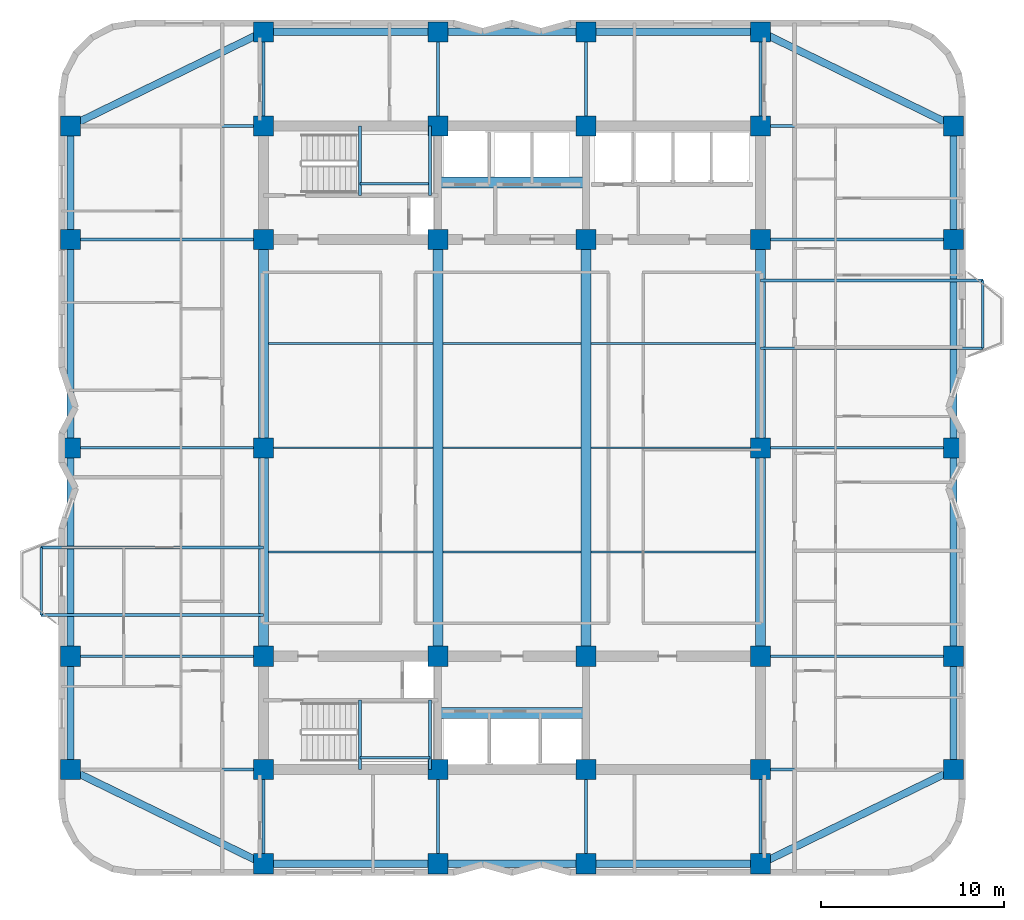
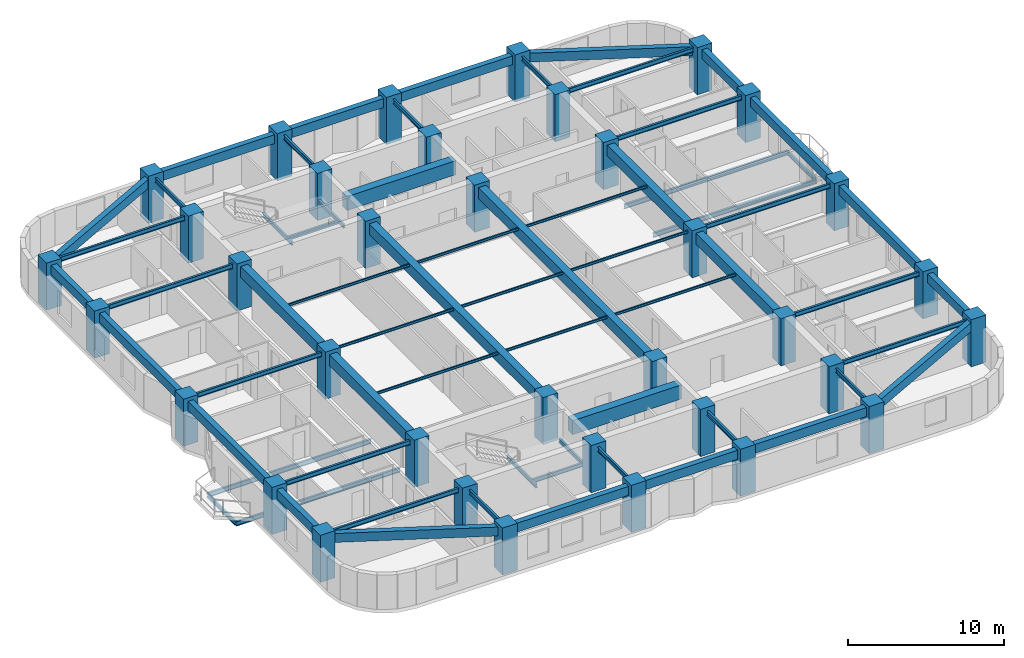
# One storey, part 1 of 9: 65 beams, 36 columns.
"""IFC4 building model written with IfcOpenShell, lengths in metres."""

from ifc_helpers import new_model, si_unit, direction, frame, origin, origin_2d, place, context, subcontext, project, spatial, rectangle, i_section, extrude, material, material_profile, profile_set, type_object, element, save


model = new_model("IFC4")

# Units and contexts
model_context = context("Model", 3, precision=1e-05, world=origin(), true_north=direction((0.0, 1.0)))
body_context = subcontext(model_context, "Body", "Model", "MODEL_VIEW")
ifc_project = project(units=[si_unit("LENGTHUNIT", "METRE"), si_unit("AREAUNIT", "SQUARE_METRE"), si_unit("VOLUMEUNIT", "CUBIC_METRE"), si_unit("PLANEANGLEUNIT", "RADIAN"), si_unit("MASSUNIT", "GRAM", prefix="KILO")], contexts=[model_context])

# Site, building, storey
site_placement = place(None, origin())
site = spatial("IfcSite", under=ifc_project, at=site_placement, CompositionType="ELEMENT")
building_placement = place(site_placement, origin())
building = spatial("IfcBuilding", under=site, at=building_placement, Name="Svetorya Sky Lyceum", CompositionType="ELEMENT")
storey_placement = place(building_placement, frame((0.0, 0.0, 125.300048828125)))
storey = spatial("IfcBuildingStorey", under=building, at=storey_placement, Name="L31", CompositionType="ELEMENT", Elevation=125.300048828125)

# Columns
ifc_material_1 = material(Name="Concrete C50/60", Category="concrete")
ifc_material_profile_1 = material_profile(ifc_material_1, rectangle(XDim=1.10009765625, YDim=1.10009765625, at=origin_2d()), Name="RC COL 1100x1100")
ifc_profile_set_1 = profile_set([ifc_material_profile_1], Name="Concrete C50/60")
column_type = type_object("IfcColumnType", Name="COL-RC-1100", PredefinedType="COLUMN", material=ifc_profile_set_1)
for number, where, z_axis, x_axis, name in (
    (1, (25.60009765625, 10.60009765625, 0.0), (0.0, 0.0, 1.0), (1.0, 0.0, 0.0), "L31 Core Column CS-11"),
    (2, (25.60009765625, 16.800048828125, 0.0), (0.0, 0.0, 1.0), (1.0, 0.0, 0.0), "L31 Core Column CS-12"),
    (3, (35.14990234375, 10.60009765625, 0.0), (0.0, 0.0, 1.0), (1.0, 0.0, 0.0), "L31 Core Column CS-21"),
    (4, (35.14990234375, 16.800048828125, 0.0), (0.0, 0.0, 1.0), (1.0, 0.0, 0.0), "L31 Core Column CS-22"),
    (5, (43.25, 10.60009765625, 0.0), (0.0, 0.0, 1.0), (1.0, 0.0, 0.0), "L31 Core Column CS-31"),
    (6, (43.25, 16.800048828125, 0.0), (0.0, 0.0, 1.0), (1.0, 0.0, 0.0), "L31 Core Column CS-32"),
    (7, (52.800048828125, 10.60009765625, 0.0), (0.0, 0.0, 1.0), (1.0, 0.0, 0.0), "L31 Core Column CS-41"),
    (8, (52.800048828125, 16.800048828125, 0.0), (0.0, 0.0, 1.0), (1.0, 0.0, 0.0), "L31 Core Column CS-42"),
    (9, (25.60009765625, 39.60009765625, 0.0), (0.0, 0.0, 1.0), (1.0, 0.0, 0.0), "L31 Core Column CN-11"),
    (10, (25.60009765625, 45.800048828125, 0.0), (0.0, 0.0, 1.0), (1.0, 0.0, 0.0), "L31 Core Column CN-12"),
    (11, (35.14990234375, 39.60009765625, 0.0), (0.0, 0.0, 1.0), (1.0, 0.0, 0.0), "L31 Core Column CN-21"),
    (12, (35.14990234375, 45.800048828125, 0.0), (0.0, 0.0, 1.0), (1.0, 0.0, 0.0), "L31 Core Column CN-22"),
    (13, (43.25, 39.60009765625, 0.0), (0.0, 0.0, 1.0), (1.0, 0.0, 0.0), "L31 Core Column CN-31"),
    (14, (43.25, 45.800048828125, 0.0), (0.0, 0.0, 1.0), (1.0, 0.0, 0.0), "L31 Core Column CN-32"),
    (15, (52.800048828125, 39.60009765625, 0.0), (0.0, 0.0, 1.0), (1.0, 0.0, 0.0), "L31 Core Column CN-41"),
    (16, (52.800048828125, 45.800048828125, 0.0), (0.0, 0.0, 1.0), (1.0, 0.0, 0.0), "L31 Core Column CN-42"),
    (17, (25.60009765625, 28.199951171875, 0.0), (0.0, 0.0, 1.0), (1.0, 0.0, 0.0), "L31 Core Column CM-W"),
    (18, (52.800048828125, 28.199951171875, 0.0), (0.0, 0.0, 1.0), (1.0, 0.0, 0.0), "L31 Core Column CM-E"),
    (19, (25.60009765625, 5.449951171875, 0.0), (0.0, 0.0, 1.0), (1.0, 0.0, 0.0), "L31 Perimeter Column S1"),
    (20, (25.60009765625, 50.949951171875, 0.0), (0.0, 0.0, 1.0), (1.0, 0.0, 0.0), "L31 Perimeter Column N1"),
    (21, (35.14990234375, 5.449951171875, 0.0), (0.0, 0.0, 1.0), (1.0, 0.0, 0.0), "L31 Perimeter Column S2"),
    (22, (35.14990234375, 50.949951171875, 0.0), (0.0, 0.0, 1.0), (1.0, 0.0, 0.0), "L31 Perimeter Column N2"),
    (23, (43.25, 5.449951171875, 0.0), (0.0, 0.0, 1.0), (1.0, 0.0, 0.0), "L31 Perimeter Column S3"),
    (24, (43.25, 50.949951171875, 0.0), (0.0, 0.0, 1.0), (1.0, 0.0, 0.0), "L31 Perimeter Column N3"),
    (25, (52.800048828125, 5.449951171875, 0.0), (0.0, 0.0, 1.0), (1.0, 0.0, 0.0), "L31 Perimeter Column S4"),
    (26, (52.800048828125, 50.949951171875, 0.0), (0.0, 0.0, 1.0), (1.0, 0.0, 0.0), "L31 Perimeter Column N4"),
    (27, (15.050048828125, 10.60009765625, 0.0), (0.0, 0.0, 1.0), (1.0, 0.0, 0.0), "L31 Perimeter Column W1"),
    (28, (63.35009765625, 10.60009765625, 0.0), (0.0, 0.0, 1.0), (1.0, 0.0, 0.0), "L31 Perimeter Column E1"),
    (29, (15.050048828125, 16.800048828125, 0.0), (0.0, 0.0, 1.0), (1.0, 0.0, 0.0), "L31 Perimeter Column W2"),
    (30, (63.35009765625, 16.800048828125, 0.0), (0.0, 0.0, 1.0), (1.0, 0.0, 0.0), "L31 Perimeter Column E2"),
    (31, (15.050048828125, 28.199951171875, 0.0), (0.0, 0.0, 1.0), (1.0, 0.0, 0.0), "L31 Perimeter Column W3"),
    (32, (63.35009765625, 28.199951171875, 0.0), (0.0, 0.0, 1.0), (1.0, 0.0, 0.0), "L31 Perimeter Column E3"),
    (33, (15.050048828125, 39.60009765625, 0.0), (0.0, 0.0, 1.0), (1.0, 0.0, 0.0), "L31 Perimeter Column W4"),
    (34, (63.35009765625, 39.60009765625, 0.0), (0.0, 0.0, 1.0), (1.0, 0.0, 0.0), "L31 Perimeter Column E4"),
    (35, (15.050048828125, 45.800048828125, 0.0), (0.0, 0.0, 1.0), (1.0, 0.0, 0.0), "L31 Perimeter Column W5"),
    (36, (63.35009765625, 45.800048828125, 0.0), (0.0, 0.0, 1.0), (1.0, 0.0, 0.0), "L31 Perimeter Column E5"),
):
    element("IfcColumn", number, at=place(storey_placement, frame(where, z_axis=z_axis, x_axis=x_axis)), inside=storey, type_object=column_type, Name=name, PredefinedType="COLUMN", context=body_context, shape_type="SweptSolid", body=[
        extrude(rectangle(XDim=1.10009765625, YDim=1.10009765625, at=origin_2d()), origin(), (0.0, 0.0, 1.0), 3.699951171875),
    ])

# Beams
ifc_material_2 = material(Name="Concrete C60/75", Category="concrete")
ifc_material_profile_2 = material_profile(ifc_material_2, rectangle(XDim=0.60009765625, YDim=1.10009765625, at=origin_2d()), Name="RC COUPLING 600x1100")
ifc_profile_set_2 = profile_set([ifc_material_profile_2], Name="Concrete C60/75")
beam_type_1 = type_object("IfcBeamType", Name="BM-CPL-1100", PredefinedType="LINTEL", material=ifc_profile_set_2)
for number, where, z_axis, x_axis, name in (
    (37, (35.14990234375, 13.699951171875, 2.869873046875), (1.0, 0.0, 0.0), (0.0, 1.0, 0.0), "L31 SC Core Coupling Beam"),
    (38, (35.14990234375, 42.699951171875, 2.869873046875), (1.0, 0.0, 0.0), (0.0, 1.0, 0.0), "L31 NC Core Coupling Beam"),
):
    element("IfcBeam", number, at=place(storey_placement, frame(where, z_axis=z_axis, x_axis=x_axis)), inside=storey, type_object=beam_type_1, Name=name, PredefinedType="LINTEL", context=body_context, shape_type="SweptSolid", body=[
        extrude(rectangle(XDim=0.60009765625, YDim=1.10009765625, at=origin_2d()), origin(), (0.0, 0.0, 1.0), 8.10009765625),
    ])
ifc_material_profile_3 = material_profile(ifc_material_1, rectangle(XDim=0.550048828125, YDim=0.85009765625, at=origin_2d()), Name="RC BEAM 550x850")
ifc_profile_set_3 = profile_set([ifc_material_profile_3], Name="Concrete C50/60")
beam_type_2 = type_object("IfcBeamType", Name="BM-RC-850", PredefinedType="BEAM", material=ifc_profile_set_3)
beam_1_placement = place(storey_placement, frame((25.60009765625, 16.800048828125, 2.994873046875), z_axis=(0.0, 1.0, 0.0), x_axis=(-1.0, 0.0, 0.0)))
element("IfcBeam", 39, at=beam_1_placement, inside=storey, type_object=beam_type_2, Name="L31 Central Bay Primary Girder CG-1A", PredefinedType="BEAM", context=body_context, shape_type="SweptSolid", body=[
    extrude(rectangle(XDim=0.550048828125, YDim=0.85009765625, at=origin_2d()), origin(), (0.0, 0.0, 1.0), 11.39990234375),
])
beam_2_placement = place(storey_placement, frame((25.60009765625, 28.199951171875, 2.994873046875), z_axis=(0.0, 1.0, 0.0), x_axis=(-1.0, 0.0, 0.0)))
element("IfcBeam", 40, at=beam_2_placement, inside=storey, type_object=beam_type_2, Name="L31 Central Bay Primary Girder CG-1B", PredefinedType="BEAM", context=body_context, shape_type="SweptSolid", body=[
    extrude(rectangle(XDim=0.550048828125, YDim=0.85009765625, at=origin_2d()), origin(), (0.0, 0.0, 1.0), 11.400146484375),
])
for number, where, z_axis, x_axis, name in (
    (41, (35.14990234375, 16.800048828125, 2.994873046875), (0.0, 1.0, 0.0), (-1.0, 0.0, 0.0), "L31 Central Bay Primary Girder CG-2"),
    (42, (43.25, 16.800048828125, 2.994873046875), (0.0, 1.0, 0.0), (-1.0, 0.0, 0.0), "L31 Central Bay Primary Girder CG-3"),
):
    element("IfcBeam", number, at=place(storey_placement, frame(where, z_axis=z_axis, x_axis=x_axis)), inside=storey, type_object=beam_type_2, Name=name, PredefinedType="BEAM", context=body_context, shape_type="SweptSolid", body=[
        extrude(rectangle(XDim=0.550048828125, YDim=0.85009765625, at=origin_2d()), origin(), (0.0, 0.0, 1.0), 22.800048828125),
    ])
beam_3_placement = place(storey_placement, frame((52.800048828125, 16.800048828125, 2.994873046875), z_axis=(0.0, 1.0, 0.0), x_axis=(-1.0, 0.0, 0.0)))
element("IfcBeam", 43, at=beam_3_placement, inside=storey, type_object=beam_type_2, Name="L31 Central Bay Primary Girder CG-4A", PredefinedType="BEAM", context=body_context, shape_type="SweptSolid", body=[
    extrude(rectangle(XDim=0.550048828125, YDim=0.85009765625, at=origin_2d()), origin(), (0.0, 0.0, 1.0), 11.39990234375),
])
beam_4_placement = place(storey_placement, frame((52.800048828125, 28.199951171875, 2.994873046875), z_axis=(0.0, 1.0, 0.0), x_axis=(-1.0, 0.0, 0.0)))
element("IfcBeam", 44, at=beam_4_placement, inside=storey, type_object=beam_type_2, Name="L31 Central Bay Primary Girder CG-4B", PredefinedType="BEAM", context=body_context, shape_type="SweptSolid", body=[
    extrude(rectangle(XDim=0.550048828125, YDim=0.85009765625, at=origin_2d()), origin(), (0.0, 0.0, 1.0), 11.400146484375),
])
ifc_material_profile_4 = material_profile(ifc_material_1, rectangle(XDim=0.39990234375, YDim=0.699951171875, at=origin_2d()), Name="RC SPANDREL 400x700")
ifc_profile_set_4 = profile_set([ifc_material_profile_4], Name="Concrete C50/60")
beam_type_3 = type_object("IfcBeamType", Name="BM-SPN-700", PredefinedType="SPANDREL", material=ifc_profile_set_4)
beam_5_placement = place(storey_placement, frame((25.60009765625, 5.449951171875, 3.070068359375), z_axis=(1.0, 0.0, 0.0), x_axis=(0.0, 1.0, 0.0)))
element("IfcBeam", 45, at=beam_5_placement, inside=storey, type_object=beam_type_3, Name="L31 South Spandrel 1", PredefinedType="SPANDREL", context=body_context, shape_type="SweptSolid", body=[
    extrude(rectangle(XDim=0.39990234375, YDim=0.699951171875, at=origin_2d()), origin(), (0.0, 0.0, 1.0), 9.5498046875),
])
beam_6_placement = place(storey_placement, frame((35.14990234375, 5.449951171875, 3.070068359375), z_axis=(1.0, 0.0, 0.0), x_axis=(0.0, 1.0, 0.0)))
element("IfcBeam", 46, at=beam_6_placement, inside=storey, type_object=beam_type_3, Name="L31 South Spandrel 2", PredefinedType="SPANDREL", context=body_context, shape_type="SweptSolid", body=[
    extrude(rectangle(XDim=0.39990234375, YDim=0.699951171875, at=origin_2d()), origin(), (0.0, 0.0, 1.0), 8.10009765625),
])
beam_7_placement = place(storey_placement, frame((43.25, 5.449951171875, 3.070068359375), z_axis=(1.0, 0.0, 0.0), x_axis=(0.0, 1.0, 0.0)))
element("IfcBeam", 47, at=beam_7_placement, inside=storey, type_object=beam_type_3, Name="L31 South Spandrel 3", PredefinedType="SPANDREL", context=body_context, shape_type="SweptSolid", body=[
    extrude(rectangle(XDim=0.39990234375, YDim=0.699951171875, at=origin_2d()), origin(), (0.0, 0.0, 1.0), 9.550048828125),
])
beam_8_placement = place(storey_placement, frame((25.60009765625, 50.949951171875, 3.070068359375), z_axis=(1.0, 0.0, 0.0), x_axis=(0.0, 1.0, 0.0)))
element("IfcBeam", 48, at=beam_8_placement, inside=storey, type_object=beam_type_3, Name="L31 North Spandrel 1", PredefinedType="SPANDREL", context=body_context, shape_type="SweptSolid", body=[
    extrude(rectangle(XDim=0.39990234375, YDim=0.699951171875, at=origin_2d()), origin(), (0.0, 0.0, 1.0), 9.5498046875),
])
beam_9_placement = place(storey_placement, frame((35.14990234375, 50.949951171875, 3.070068359375), z_axis=(1.0, 0.0, 0.0), x_axis=(0.0, 1.0, 0.0)))
element("IfcBeam", 49, at=beam_9_placement, inside=storey, type_object=beam_type_3, Name="L31 North Spandrel 2", PredefinedType="SPANDREL", context=body_context, shape_type="SweptSolid", body=[
    extrude(rectangle(XDim=0.39990234375, YDim=0.699951171875, at=origin_2d()), origin(), (0.0, 0.0, 1.0), 8.10009765625),
])
beam_10_placement = place(storey_placement, frame((43.25, 50.949951171875, 3.070068359375), z_axis=(1.0, 0.0, 0.0), x_axis=(0.0, 1.0, 0.0)))
element("IfcBeam", 50, at=beam_10_placement, inside=storey, type_object=beam_type_3, Name="L31 North Spandrel 3", PredefinedType="SPANDREL", context=body_context, shape_type="SweptSolid", body=[
    extrude(rectangle(XDim=0.39990234375, YDim=0.699951171875, at=origin_2d()), origin(), (0.0, 0.0, 1.0), 9.550048828125),
])
for number, where, z_axis, x_axis, name in (
    (51, (25.60009765625, 5.449951171875, 3.070068359375), (-0.898641495694, 0.438683783854, 0.0), (-0.438683783854, -0.898641495694, 0.0), "L31 Corner Spandrel 1"),
    (52, (52.800048828125, 5.449951171875, 3.070068359375), (0.898641495694, 0.438683783854, 0.0), (-0.438683783854, 0.898641495694, 0.0), "L31 Corner Spandrel 2"),
    (53, (63.35009765625, 45.800048828125, 3.070068359375), (-0.898649693653, 0.438666989978, 0.0), (-0.438666989978, -0.898649693653, 0.0), "L31 Corner Spandrel 3"),
    (54, (15.050048828125, 45.800048828125, 3.070068359375), (0.898649693653, 0.438666989978, 0.0), (-0.438666989978, 0.898649693653, 0.0), "L31 Corner Spandrel 4"),
):
    element("IfcBeam", number, at=place(storey_placement, frame(where, z_axis=z_axis, x_axis=x_axis)), inside=storey, type_object=beam_type_3, Name=name, PredefinedType="SPANDREL", context=body_context, shape_type="SweptSolid", body=[
        extrude(rectangle(XDim=0.39990234375, YDim=0.699951171875, at=origin_2d()), origin(), (0.0, 0.0, 1.0), 11.739990234375),
    ])
beam_11_placement = place(storey_placement, frame((15.050048828125, 10.60009765625, 3.070068359375), z_axis=(0.0, 1.0, 0.0), x_axis=(-1.0, 0.0, 0.0)))
element("IfcBeam", 55, at=beam_11_placement, inside=storey, type_object=beam_type_3, Name="L31 West Spandrel 1", PredefinedType="SPANDREL", context=body_context, shape_type="SweptSolid", body=[
    extrude(rectangle(XDim=0.39990234375, YDim=0.699951171875, at=origin_2d()), origin(), (0.0, 0.0, 1.0), 6.199951171875),
])
beam_12_placement = place(storey_placement, frame((15.050048828125, 16.800048828125, 3.070068359375), z_axis=(0.0, 1.0, 0.0), x_axis=(-1.0, 0.0, 0.0)))
element("IfcBeam", 56, at=beam_12_placement, inside=storey, type_object=beam_type_3, Name="L31 West Spandrel 2", PredefinedType="SPANDREL", context=body_context, shape_type="SweptSolid", body=[
    extrude(rectangle(XDim=0.39990234375, YDim=0.699951171875, at=origin_2d()), origin(), (0.0, 0.0, 1.0), 11.39990234375),
])
beam_13_placement = place(storey_placement, frame((15.050048828125, 28.199951171875, 3.070068359375), z_axis=(0.0, 1.0, 0.0), x_axis=(-1.0, 0.0, 0.0)))
element("IfcBeam", 57, at=beam_13_placement, inside=storey, type_object=beam_type_3, Name="L31 West Spandrel 3", PredefinedType="SPANDREL", context=body_context, shape_type="SweptSolid", body=[
    extrude(rectangle(XDim=0.39990234375, YDim=0.699951171875, at=origin_2d()), origin(), (0.0, 0.0, 1.0), 11.400146484375),
])
for number, where, z_axis, x_axis, name in (
    (58, (15.050048828125, 39.60009765625, 3.070068359375), (0.0, 1.0, 0.0), (-1.0, 0.0, 0.0), "L31 West Spandrel 4"),
    (59, (63.35009765625, 10.60009765625, 3.070068359375), (0.0, 1.0, 0.0), (-1.0, 0.0, 0.0), "L31 East Spandrel 1"),
):
    element("IfcBeam", number, at=place(storey_placement, frame(where, z_axis=z_axis, x_axis=x_axis)), inside=storey, type_object=beam_type_3, Name=name, PredefinedType="SPANDREL", context=body_context, shape_type="SweptSolid", body=[
        extrude(rectangle(XDim=0.39990234375, YDim=0.699951171875, at=origin_2d()), origin(), (0.0, 0.0, 1.0), 6.199951171875),
    ])
beam_14_placement = place(storey_placement, frame((63.35009765625, 16.800048828125, 3.070068359375), z_axis=(0.0, 1.0, 0.0), x_axis=(-1.0, 0.0, 0.0)))
element("IfcBeam", 60, at=beam_14_placement, inside=storey, type_object=beam_type_3, Name="L31 East Spandrel 2", PredefinedType="SPANDREL", context=body_context, shape_type="SweptSolid", body=[
    extrude(rectangle(XDim=0.39990234375, YDim=0.699951171875, at=origin_2d()), origin(), (0.0, 0.0, 1.0), 11.39990234375),
])
beam_15_placement = place(storey_placement, frame((63.35009765625, 28.199951171875, 3.070068359375), z_axis=(0.0, 1.0, 0.0), x_axis=(-1.0, 0.0, 0.0)))
element("IfcBeam", 61, at=beam_15_placement, inside=storey, type_object=beam_type_3, Name="L31 East Spandrel 3", PredefinedType="SPANDREL", context=body_context, shape_type="SweptSolid", body=[
    extrude(rectangle(XDim=0.39990234375, YDim=0.699951171875, at=origin_2d()), origin(), (0.0, 0.0, 1.0), 11.400146484375),
])
beam_16_placement = place(storey_placement, frame((63.35009765625, 39.60009765625, 3.070068359375), z_axis=(0.0, 1.0, 0.0), x_axis=(-1.0, 0.0, 0.0)))
element("IfcBeam", 62, at=beam_16_placement, inside=storey, type_object=beam_type_3, Name="L31 East Spandrel 4", PredefinedType="SPANDREL", context=body_context, shape_type="SweptSolid", body=[
    extrude(rectangle(XDim=0.39990234375, YDim=0.699951171875, at=origin_2d()), origin(), (0.0, 0.0, 1.0), 6.199951171875),
])
ifc_material_3 = material(Name="Steel S355", Category="steel")
ifc_material_profile_5 = material_profile(ifc_material_3, i_section(OverallWidth=0.10009765625, OverallDepth=0.199951171875, WebThickness=0.005615234375, FlangeThickness=0.008544921875, at=origin_2d()), Name="GOST 20B1")
ifc_profile_set_5 = profile_set([ifc_material_profile_5], Name="Steel S355")
beam_type_4 = type_object("IfcBeamType", Name="BM-STL-20B1", PredefinedType="JOIST", material=ifc_profile_set_5)
beam_17_placement = place(storey_placement, frame((25.875, 22.5, 3.320068359375), z_axis=(1.0, 0.0, 0.0), x_axis=(0.0, 1.0, 0.0)))
element("IfcBeam", 63, at=beam_17_placement, inside=storey, type_object=beam_type_4, Name="L31 Central Floor Joist CJ-1.1", PredefinedType="JOIST", context=body_context, shape_type="SweptSolid", body=[
    extrude(i_section(OverallWidth=0.10009765625, OverallDepth=0.199951171875, WebThickness=0.005615234375, FlangeThickness=0.008544921875, at=origin_2d()), origin(), (0.0, 0.0, 1.0), 9.0),
])
beam_18_placement = place(storey_placement, frame((35.425048828125, 22.5, 3.320068359375), z_axis=(1.0, 0.0, 0.0), x_axis=(0.0, 1.0, 0.0)))
element("IfcBeam", 64, at=beam_18_placement, inside=storey, type_object=beam_type_4, Name="L31 Central Floor Joist CJ-1.2", PredefinedType="JOIST", context=body_context, shape_type="SweptSolid", body=[
    extrude(i_section(OverallWidth=0.10009765625, OverallDepth=0.199951171875, WebThickness=0.005615234375, FlangeThickness=0.008544921875, at=origin_2d()), origin(), (0.0, 0.0, 1.0), 7.550048828125),
])
for number, where, z_axis, x_axis, name in (
    (65, (43.52490234375, 22.5, 3.320068359375), (1.0, 0.0, 0.0), (0.0, 1.0, 0.0), "L31 Central Floor Joist CJ-1.3"),
    (66, (25.875, 28.199951171875, 3.320068359375), (1.0, 0.0, 0.0), (0.0, 1.0, 0.0), "L31 Central Floor Joist CJ-2.1"),
):
    element("IfcBeam", number, at=place(storey_placement, frame(where, z_axis=z_axis, x_axis=x_axis)), inside=storey, type_object=beam_type_4, Name=name, PredefinedType="JOIST", context=body_context, shape_type="SweptSolid", body=[
        extrude(i_section(OverallWidth=0.10009765625, OverallDepth=0.199951171875, WebThickness=0.005615234375, FlangeThickness=0.008544921875, at=origin_2d()), origin(), (0.0, 0.0, 1.0), 9.0),
    ])
beam_19_placement = place(storey_placement, frame((35.425048828125, 28.199951171875, 3.320068359375), z_axis=(1.0, 0.0, 0.0), x_axis=(0.0, 1.0, 0.0)))
element("IfcBeam", 67, at=beam_19_placement, inside=storey, type_object=beam_type_4, Name="L31 Central Floor Joist CJ-2.2", PredefinedType="JOIST", context=body_context, shape_type="SweptSolid", body=[
    extrude(i_section(OverallWidth=0.10009765625, OverallDepth=0.199951171875, WebThickness=0.005615234375, FlangeThickness=0.008544921875, at=origin_2d()), origin(), (0.0, 0.0, 1.0), 7.550048828125),
])
for number, where, z_axis, x_axis, name in (
    (68, (43.52490234375, 28.199951171875, 3.320068359375), (1.0, 0.0, 0.0), (0.0, 1.0, 0.0), "L31 Central Floor Joist CJ-2.3"),
    (69, (25.875, 33.89990234375, 3.320068359375), (1.0, 0.0, 0.0), (0.0, 1.0, 0.0), "L31 Central Floor Joist CJ-3.1"),
):
    element("IfcBeam", number, at=place(storey_placement, frame(where, z_axis=z_axis, x_axis=x_axis)), inside=storey, type_object=beam_type_4, Name=name, PredefinedType="JOIST", context=body_context, shape_type="SweptSolid", body=[
        extrude(i_section(OverallWidth=0.10009765625, OverallDepth=0.199951171875, WebThickness=0.005615234375, FlangeThickness=0.008544921875, at=origin_2d()), origin(), (0.0, 0.0, 1.0), 9.0),
    ])
beam_20_placement = place(storey_placement, frame((35.425048828125, 33.89990234375, 3.320068359375), z_axis=(1.0, 0.0, 0.0), x_axis=(0.0, 1.0, 0.0)))
element("IfcBeam", 70, at=beam_20_placement, inside=storey, type_object=beam_type_4, Name="L31 Central Floor Joist CJ-3.2", PredefinedType="JOIST", context=body_context, shape_type="SweptSolid", body=[
    extrude(i_section(OverallWidth=0.10009765625, OverallDepth=0.199951171875, WebThickness=0.005615234375, FlangeThickness=0.008544921875, at=origin_2d()), origin(), (0.0, 0.0, 1.0), 7.550048828125),
])
beam_21_placement = place(storey_placement, frame((43.52490234375, 33.89990234375, 3.320068359375), z_axis=(1.0, 0.0, 0.0), x_axis=(0.0, 1.0, 0.0)))
element("IfcBeam", 71, at=beam_21_placement, inside=storey, type_object=beam_type_4, Name="L31 Central Floor Joist CJ-3.3", PredefinedType="JOIST", context=body_context, shape_type="SweptSolid", body=[
    extrude(i_section(OverallWidth=0.10009765625, OverallDepth=0.199951171875, WebThickness=0.005615234375, FlangeThickness=0.008544921875, at=origin_2d()), origin(), (0.0, 0.0, 1.0), 9.0),
])
ifc_material_profile_6 = material_profile(ifc_material_3, i_section(OverallWidth=0.14990234375, OverallDepth=0.299072265625, WebThickness=0.006591796875, FlangeThickness=0.010498046875, at=origin_2d()), Name="GOST 30B2")
ifc_profile_set_6 = profile_set([ifc_material_profile_6], Name="Steel S355")
beam_type_5 = type_object("IfcBeamType", Name="BM-STL-30B2", PredefinedType="JOIST", material=ifc_profile_set_6)
beam_22_placement = place(storey_placement, frame((13.449951171875, 19.050048828125, -0.45458984375), z_axis=(0.0, 1.0, 0.0), x_axis=(-1.0, 0.0, 0.0)))
element("IfcBeam", 72, at=beam_22_placement, inside=storey, type_object=beam_type_5, Name="L31 Balcony Edge Tie BAL-W1", PredefinedType="JOIST", context=body_context, shape_type="SweptSolid", body=[
    extrude(i_section(OverallWidth=0.14990234375, OverallDepth=0.299072265625, WebThickness=0.006591796875, FlangeThickness=0.010498046875, at=origin_2d()), origin(), (0.0, 0.0, 1.0), 3.699951171875),
])
beam_23_placement = place(storey_placement, frame((64.949951171875, 33.64990234375, -0.45458984375), z_axis=(0.0, 1.0, 0.0), x_axis=(-1.0, 0.0, 0.0)))
element("IfcBeam", 73, at=beam_23_placement, inside=storey, type_object=beam_type_5, Name="L31 Balcony Edge Tie BAL-E1", PredefinedType="JOIST", context=body_context, shape_type="SweptSolid", body=[
    extrude(i_section(OverallWidth=0.14990234375, OverallDepth=0.299072265625, WebThickness=0.006591796875, FlangeThickness=0.010498046875, at=origin_2d()), origin(), (0.0, 0.0, 1.0), 3.7001953125),
])
for number, where, z_axis, x_axis, name in (
    (74, (30.8798828125, 10.60009765625, 1.50048828125), (0.0, 1.0, 0.0), (-1.0, 0.0, 0.0), "L31 Stair ST-S Half-Landing Support Beam 35.1"),
    (75, (34.719970703125, 10.60009765625, 1.50048828125), (0.0, 1.0, 0.0), (-1.0, 0.0, 0.0), "L31 Stair ST-S Half-Landing Support Beam 35.2"),
):
    element("IfcBeam", number, at=place(storey_placement, frame(where, z_axis=z_axis, x_axis=x_axis)), inside=storey, type_object=beam_type_5, Name=name, PredefinedType="JOIST", context=body_context, shape_type="SweptSolid", body=[
        extrude(i_section(OverallWidth=0.14990234375, OverallDepth=0.299072265625, WebThickness=0.006591796875, FlangeThickness=0.010498046875, at=origin_2d()), origin(), (0.0, 0.0, 1.0), 3.7998046875),
    ])
beam_24_placement = place(storey_placement, frame((30.8798828125, 11.25, 1.50048828125), z_axis=(1.0, 0.0, 0.0), x_axis=(0.0, 1.0, 0.0)))
element("IfcBeam", 76, at=beam_24_placement, inside=storey, type_object=beam_type_5, Name="L31 Stair ST-S Half-Landing Cross Tie 35", PredefinedType="JOIST", context=body_context, shape_type="SweptSolid", body=[
    extrude(i_section(OverallWidth=0.14990234375, OverallDepth=0.299072265625, WebThickness=0.006591796875, FlangeThickness=0.010498046875, at=origin_2d()), origin(), (0.0, 0.0, 1.0), 3.840087890625),
])
for number, where, z_axis, x_axis, name in (
    (77, (30.8798828125, 42.0, 1.50048828125), (0.0, 1.0, 0.0), (-1.0, 0.0, 0.0), "L31 Stair ST-N Half-Landing Support Beam 35.1"),
    (78, (34.719970703125, 42.0, 1.50048828125), (0.0, 1.0, 0.0), (-1.0, 0.0, 0.0), "L31 Stair ST-N Half-Landing Support Beam 35.2"),
):
    element("IfcBeam", number, at=place(storey_placement, frame(where, z_axis=z_axis, x_axis=x_axis)), inside=storey, type_object=beam_type_5, Name=name, PredefinedType="JOIST", context=body_context, shape_type="SweptSolid", body=[
        extrude(i_section(OverallWidth=0.14990234375, OverallDepth=0.299072265625, WebThickness=0.006591796875, FlangeThickness=0.010498046875, at=origin_2d()), origin(), (0.0, 0.0, 1.0), 3.800048828125),
    ])
beam_25_placement = place(storey_placement, frame((30.8798828125, 42.64990234375, 1.50048828125), z_axis=(1.0, 0.0, 0.0), x_axis=(0.0, 1.0, 0.0)))
element("IfcBeam", 79, at=beam_25_placement, inside=storey, type_object=beam_type_5, Name="L31 Stair ST-N Half-Landing Cross Tie 35", PredefinedType="JOIST", context=body_context, shape_type="SweptSolid", body=[
    extrude(i_section(OverallWidth=0.14990234375, OverallDepth=0.299072265625, WebThickness=0.006591796875, FlangeThickness=0.010498046875, at=origin_2d()), origin(), (0.0, 0.0, 1.0), 3.840087890625),
])
ifc_material_profile_7 = material_profile(ifc_material_3, i_section(OverallWidth=0.155029296875, OverallDepth=0.34912109375, WebThickness=0.007080078125, FlangeThickness=0.011474609375, at=origin_2d()), Name="GOST 35B2")
ifc_profile_set_7 = profile_set([ifc_material_profile_7], Name="Steel S355")
beam_type_6 = type_object("IfcBeamType", Name="BM-STL-35B2", PredefinedType="JOIST", material=ifc_profile_set_7)
for number, where, z_axis, x_axis, name in (
    (80, (25.60009765625, 19.050048828125, -0.45458984375), (-1.0, 0.0, 0.0), (0.0, -1.0, 0.0), "L31 Balcony Cantilever Beam BAL-W1-1"),
    (81, (25.60009765625, 22.75, -0.45458984375), (-1.0, 0.0, 0.0), (0.0, -1.0, 0.0), "L31 Balcony Cantilever Beam BAL-W1-2"),
):
    element("IfcBeam", number, at=place(storey_placement, frame(where, z_axis=z_axis, x_axis=x_axis)), inside=storey, type_object=beam_type_6, Name=name, PredefinedType="JOIST", context=body_context, shape_type="SweptSolid", body=[
        extrude(i_section(OverallWidth=0.155029296875, OverallDepth=0.34912109375, WebThickness=0.007080078125, FlangeThickness=0.011474609375, at=origin_2d()), origin(), (0.0, 0.0, 1.0), 12.150146484375),
    ])
for number, where, z_axis, x_axis, name in (
    (82, (52.800048828125, 33.64990234375, -0.45458984375), (1.0, 0.0, 0.0), (0.0, 1.0, 0.0), "L31 Balcony Cantilever Beam BAL-E1-1"),
    (83, (52.800048828125, 37.35009765625, -0.45458984375), (1.0, 0.0, 0.0), (0.0, 1.0, 0.0), "L31 Balcony Cantilever Beam BAL-E1-2"),
):
    element("IfcBeam", number, at=place(storey_placement, frame(where, z_axis=z_axis, x_axis=x_axis)), inside=storey, type_object=beam_type_6, Name=name, PredefinedType="JOIST", context=body_context, shape_type="SweptSolid", body=[
        extrude(i_section(OverallWidth=0.155029296875, OverallDepth=0.34912109375, WebThickness=0.007080078125, FlangeThickness=0.011474609375, at=origin_2d()), origin(), (0.0, 0.0, 1.0), 12.14990234375),
    ])
for number, where, z_axis, x_axis, name in (
    (84, (15.050048828125, 10.60009765625, 3.245361328125), (1.0, 0.0, 0.0), (0.0, 1.0, 0.0), "L31 West Wing Floor Joist W1"),
    (85, (52.800048828125, 10.60009765625, 3.245361328125), (1.0, 0.0, 0.0), (0.0, 1.0, 0.0), "L31 East Wing Floor Joist E1"),
    (86, (15.050048828125, 16.800048828125, 3.245361328125), (1.0, 0.0, 0.0), (0.0, 1.0, 0.0), "L31 West Wing Floor Joist W2"),
    (87, (52.800048828125, 16.800048828125, 3.245361328125), (1.0, 0.0, 0.0), (0.0, 1.0, 0.0), "L31 East Wing Floor Joist E2"),
    (88, (15.050048828125, 28.199951171875, 3.245361328125), (1.0, 0.0, 0.0), (0.0, 1.0, 0.0), "L31 West Wing Floor Joist W3"),
    (89, (52.800048828125, 28.199951171875, 3.245361328125), (1.0, 0.0, 0.0), (0.0, 1.0, 0.0), "L31 East Wing Floor Joist E3"),
    (90, (15.050048828125, 39.60009765625, 3.245361328125), (1.0, 0.0, 0.0), (0.0, 1.0, 0.0), "L31 West Wing Floor Joist W4"),
    (91, (52.800048828125, 39.60009765625, 3.245361328125), (1.0, 0.0, 0.0), (0.0, 1.0, 0.0), "L31 East Wing Floor Joist E4"),
    (92, (15.050048828125, 45.800048828125, 3.245361328125), (1.0, 0.0, 0.0), (0.0, 1.0, 0.0), "L31 West Wing Floor Joist W5"),
    (93, (52.800048828125, 45.800048828125, 3.245361328125), (1.0, 0.0, 0.0), (0.0, 1.0, 0.0), "L31 East Wing Floor Joist E5"),
):
    element("IfcBeam", number, at=place(storey_placement, frame(where, z_axis=z_axis, x_axis=x_axis)), inside=storey, type_object=beam_type_6, Name=name, PredefinedType="JOIST", context=body_context, shape_type="SweptSolid", body=[
        extrude(i_section(OverallWidth=0.155029296875, OverallDepth=0.34912109375, WebThickness=0.007080078125, FlangeThickness=0.011474609375, at=origin_2d()), origin(), (0.0, 0.0, 1.0), 10.550048828125),
    ])
beam_26_placement = place(storey_placement, frame((25.60009765625, 5.449951171875, 3.245361328125), z_axis=(0.0, 1.0, 0.0), x_axis=(-1.0, 0.0, 0.0)))
element("IfcBeam", 94, at=beam_26_placement, inside=storey, type_object=beam_type_6, Name="L31 South Bay Floor Girder S1", PredefinedType="JOIST", context=body_context, shape_type="SweptSolid", body=[
    extrude(i_section(OverallWidth=0.155029296875, OverallDepth=0.34912109375, WebThickness=0.007080078125, FlangeThickness=0.011474609375, at=origin_2d()), origin(), (0.0, 0.0, 1.0), 5.150146484375),
])
beam_27_placement = place(storey_placement, frame((25.60009765625, 45.800048828125, 3.245361328125), z_axis=(0.0, 1.0, 0.0), x_axis=(-1.0, 0.0, 0.0)))
element("IfcBeam", 95, at=beam_27_placement, inside=storey, type_object=beam_type_6, Name="L31 North Bay Floor Girder N1", PredefinedType="JOIST", context=body_context, shape_type="SweptSolid", body=[
    extrude(i_section(OverallWidth=0.155029296875, OverallDepth=0.34912109375, WebThickness=0.007080078125, FlangeThickness=0.011474609375, at=origin_2d()), origin(), (0.0, 0.0, 1.0), 5.14990234375),
])
beam_28_placement = place(storey_placement, frame((35.14990234375, 5.449951171875, 3.245361328125), z_axis=(0.0, 1.0, 0.0), x_axis=(-1.0, 0.0, 0.0)))
element("IfcBeam", 96, at=beam_28_placement, inside=storey, type_object=beam_type_6, Name="L31 South Bay Floor Girder S2", PredefinedType="JOIST", context=body_context, shape_type="SweptSolid", body=[
    extrude(i_section(OverallWidth=0.155029296875, OverallDepth=0.34912109375, WebThickness=0.007080078125, FlangeThickness=0.011474609375, at=origin_2d()), origin(), (0.0, 0.0, 1.0), 5.150146484375),
])
beam_29_placement = place(storey_placement, frame((35.14990234375, 45.800048828125, 3.245361328125), z_axis=(0.0, 1.0, 0.0), x_axis=(-1.0, 0.0, 0.0)))
element("IfcBeam", 97, at=beam_29_placement, inside=storey, type_object=beam_type_6, Name="L31 North Bay Floor Girder N2", PredefinedType="JOIST", context=body_context, shape_type="SweptSolid", body=[
    extrude(i_section(OverallWidth=0.155029296875, OverallDepth=0.34912109375, WebThickness=0.007080078125, FlangeThickness=0.011474609375, at=origin_2d()), origin(), (0.0, 0.0, 1.0), 5.14990234375),
])
beam_30_placement = place(storey_placement, frame((43.25, 5.449951171875, 3.245361328125), z_axis=(0.0, 1.0, 0.0), x_axis=(-1.0, 0.0, 0.0)))
element("IfcBeam", 98, at=beam_30_placement, inside=storey, type_object=beam_type_6, Name="L31 South Bay Floor Girder S3", PredefinedType="JOIST", context=body_context, shape_type="SweptSolid", body=[
    extrude(i_section(OverallWidth=0.155029296875, OverallDepth=0.34912109375, WebThickness=0.007080078125, FlangeThickness=0.011474609375, at=origin_2d()), origin(), (0.0, 0.0, 1.0), 5.150146484375),
])
beam_31_placement = place(storey_placement, frame((43.25, 45.800048828125, 3.245361328125), z_axis=(0.0, 1.0, 0.0), x_axis=(-1.0, 0.0, 0.0)))
element("IfcBeam", 99, at=beam_31_placement, inside=storey, type_object=beam_type_6, Name="L31 North Bay Floor Girder N3", PredefinedType="JOIST", context=body_context, shape_type="SweptSolid", body=[
    extrude(i_section(OverallWidth=0.155029296875, OverallDepth=0.34912109375, WebThickness=0.007080078125, FlangeThickness=0.011474609375, at=origin_2d()), origin(), (0.0, 0.0, 1.0), 5.14990234375),
])
beam_32_placement = place(storey_placement, frame((52.800048828125, 5.449951171875, 3.245361328125), z_axis=(0.0, 1.0, 0.0), x_axis=(-1.0, 0.0, 0.0)))
element("IfcBeam", 100, at=beam_32_placement, inside=storey, type_object=beam_type_6, Name="L31 South Bay Floor Girder S4", PredefinedType="JOIST", context=body_context, shape_type="SweptSolid", body=[
    extrude(i_section(OverallWidth=0.155029296875, OverallDepth=0.34912109375, WebThickness=0.007080078125, FlangeThickness=0.011474609375, at=origin_2d()), origin(), (0.0, 0.0, 1.0), 5.150146484375),
])
beam_33_placement = place(storey_placement, frame((52.800048828125, 45.800048828125, 3.245361328125), z_axis=(0.0, 1.0, 0.0), x_axis=(-1.0, 0.0, 0.0)))
element("IfcBeam", 101, at=beam_33_placement, inside=storey, type_object=beam_type_6, Name="L31 North Bay Floor Girder N4", PredefinedType="JOIST", context=body_context, shape_type="SweptSolid", body=[
    extrude(i_section(OverallWidth=0.155029296875, OverallDepth=0.34912109375, WebThickness=0.007080078125, FlangeThickness=0.011474609375, at=origin_2d()), origin(), (0.0, 0.0, 1.0), 5.14990234375),
])

save(model, "model.ifc")
